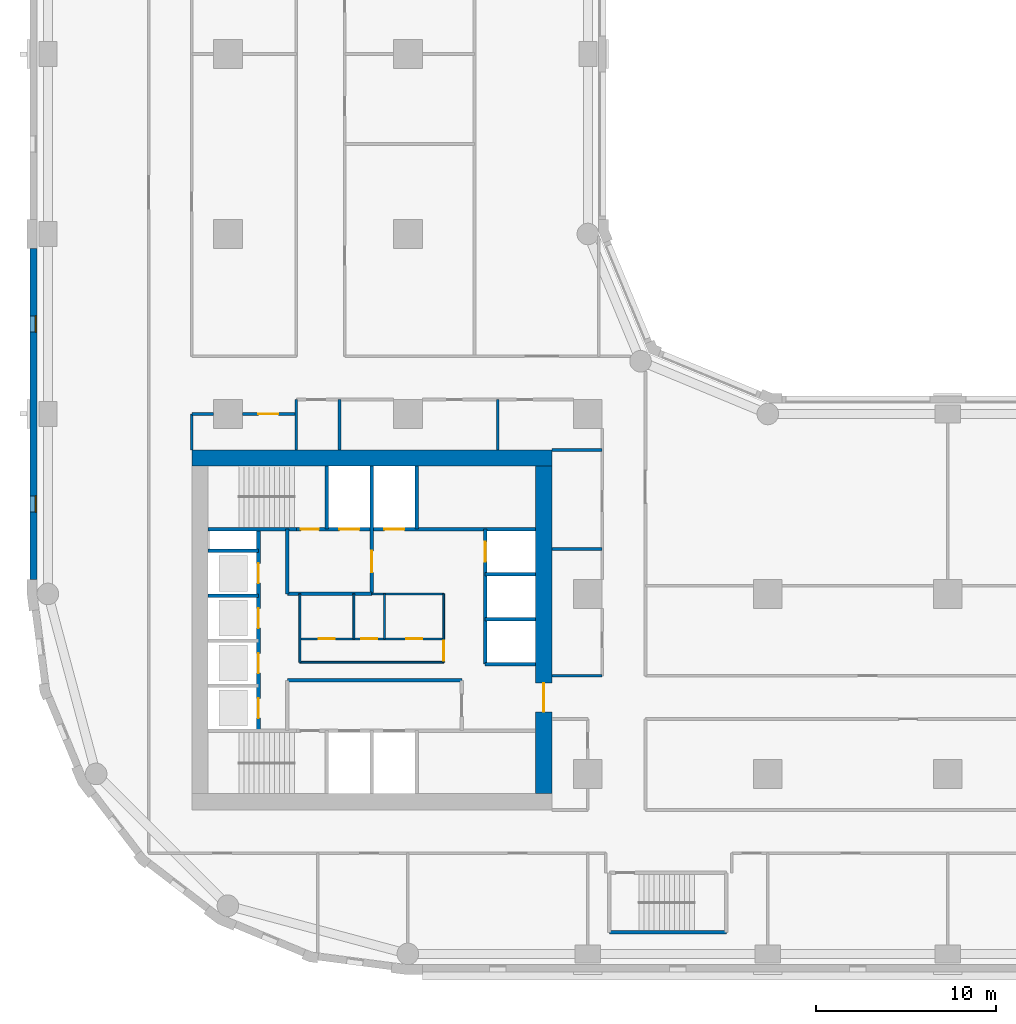
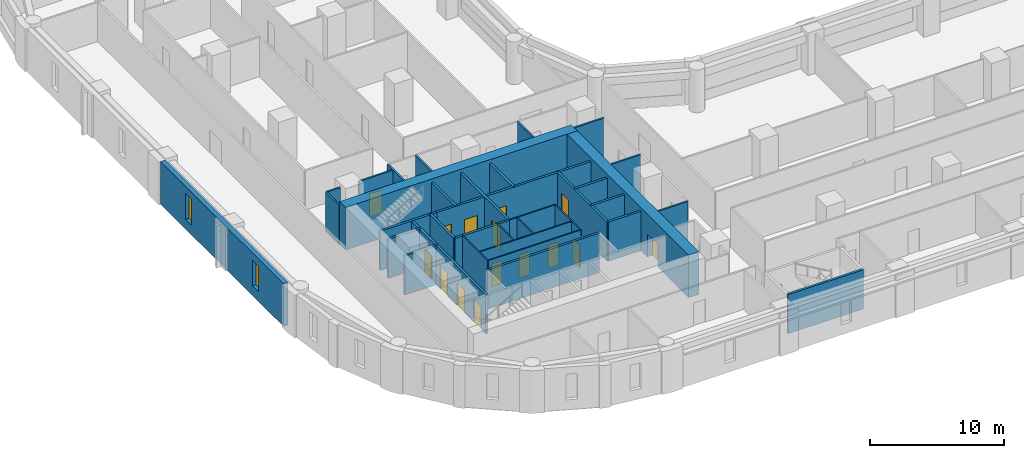
# One storey, part 3 of 10: 35 walls, 15 doors, 2 windows, 17 openings.
"""IFC4 building model written with IfcOpenShell, lengths in metres."""

from ifc_helpers import new_model, si_unit, direction, frame, frame_2d, origin, place, context, subcontext, project, spatial, rectangle, extrude, material, layer, layer_set, type_object, element, fill, save


model = new_model("IFC4")

# Units and contexts
model_context = context("Model", 3, precision=1e-05, world=origin(), true_north=direction((0.0, 1.0)))
body_context = subcontext(model_context, "Body", "Model", "MODEL_VIEW")
ifc_project = project(units=[si_unit("LENGTHUNIT", "METRE"), si_unit("AREAUNIT", "SQUARE_METRE"), si_unit("VOLUMEUNIT", "CUBIC_METRE"), si_unit("PLANEANGLEUNIT", "RADIAN"), si_unit("MASSUNIT", "GRAM", prefix="KILO")], contexts=[model_context])

# Site, building, storey
site_placement = place(None, origin())
site = spatial("IfcSite", under=ifc_project, at=site_placement, CompositionType="ELEMENT")
building_placement = place(site_placement, origin())
building = spatial("IfcBuilding", under=site, at=building_placement, Name="Qaws Garden Tower", CompositionType="ELEMENT")
storey_placement = place(building_placement, frame((0.0, 0.0, 109.5)))
storey = spatial("IfcBuildingStorey", under=building, at=storey_placement, Name="L27", CompositionType="ELEMENT", Elevation=109.5)

# Wall, openings, windows
ifc_material_1 = material(Name="Clay facing brick masonry", Category="masonry")
ifc_layer_1 = layer(ifc_material_1, 0.39990234375)
ifc_layer_set_1 = layer_set([ifc_layer_1], Name="Clay facing brick masonry")
wall_type_1 = type_object("IfcWallType", Name="Brick infill wall 400", PredefinedType="SOLIDWALL", material=ifc_layer_set_1)
wall_1_placement = place(storey_placement, frame((-0.800048828125, 39.199951171875, 0.0), z_axis=(0.0, 0.0, 1.0), x_axis=(0.0, -1.0, 0.0)))
wall_1 = element("IfcWall", 1, at=wall_1_placement, inside=storey, type_object=wall_type_1, Name="E-L27-infill-25", PredefinedType="SOLIDWALL", context=body_context, shape_type="SweptSolid", body=[
    extrude(rectangle(XDim=18.39990234375, YDim=0.39990234375, at=frame_2d((9.199951171875, 0.0))), origin(), (0.0, 0.0, 1.0), 3.89990234375),
])
opening_1_placement = place(wall_1_placement, frame((3.75, 0.0, 0.89990234375)))
opening_1 = element("IfcOpeningElement", 2, at=opening_1_placement, cuts=wall_1, Name="Opening W09", PredefinedType="OPENING", context=body_context, shape_type="SweptSolid", body=[
    extrude(rectangle(XDim=0.89990234375, YDim=2.35009765625, at=frame_2d((0.449951171875, 1.175048828125))), frame((0.0, 0.2099609375, 0.0), z_axis=(0.0, -1.0, 0.0), x_axis=(1.0, 0.0, 0.0)), (0.0, 0.0, 1.0), 0.419921875),
])
opening_2_placement = place(wall_1_placement, frame((13.75, 0.0, 0.89990234375)))
opening_2 = element("IfcOpeningElement", 3, at=opening_2_placement, cuts=wall_1, Name="Opening W09", PredefinedType="OPENING", context=body_context, shape_type="SweptSolid", body=[
    extrude(rectangle(XDim=0.89990234375, YDim=2.35009765625, at=frame_2d((0.449951171875, 1.175048828125))), frame((0.0, 0.2099609375, 0.0), z_axis=(0.0, -1.0, 0.0), x_axis=(1.0, 0.0, 0.0)), (0.0, 0.0, 1.0), 0.419921875),
])
ifc_material_2 = material(Name="Aluminium framed window, clear glazing", Category="aluminium")
window_type = type_object("IfcWindowType", Name="Slit window 900 x 2350", PartitioningType="SINGLE_PANEL", PredefinedType="WINDOW", material=ifc_material_2)
window_1_placement = place(opening_1_placement, origin())
window_1 = element("IfcWindow", 4, at=window_1_placement, inside=storey, type_object=window_type, Name="E-L27-window-25-0", OverallHeight=2.35009765625, OverallWidth=0.89990234375, PartitioningType="SINGLE_PANEL", PredefinedType="WINDOW", context=body_context, shape_type="SweptSolid", body=[
    extrude(rectangle(XDim=0.89990234375, YDim=2.35009765625, at=frame_2d((0.449951171875, 1.175048828125))), frame((0.0, 0.159912109375, 0.0), z_axis=(0.0, -1.0, 0.0), x_axis=(1.0, 0.0, 0.0)), (0.0, 0.0, 1.0), 0.06005859375),
])
fill(opening_1, window_1)
window_2_placement = place(opening_2_placement, origin())
window_2 = element("IfcWindow", 5, at=window_2_placement, inside=storey, type_object=window_type, Name="E-L27-window-26-0", OverallHeight=2.35009765625, OverallWidth=0.89990234375, PartitioningType="SINGLE_PANEL", PredefinedType="WINDOW", context=body_context, shape_type="SweptSolid", body=[
    extrude(rectangle(XDim=0.89990234375, YDim=2.35009765625, at=frame_2d((0.449951171875, 1.175048828125))), frame((0.0, 0.159912109375, 0.0), z_axis=(0.0, -1.0, 0.0), x_axis=(1.0, 0.0, 0.0)), (0.0, 0.0, 1.0), 0.06005859375),
])
fill(opening_2, window_2)

# Wall
ifc_material_3 = material(Name="Plasterboard")
ifc_layer_2 = layer(ifc_material_3, 0.10009765625)
ifc_layer_set_2 = layer_set([ifc_layer_2], Name="Plasterboard")
wall_type_2 = type_object("IfcWallType", Name="Core partition 100", PredefinedType="PARTITIONING", material=ifc_layer_set_2)
wall_2_placement = place(storey_placement, frame((14.0, 16.199951171875, 0.0), z_axis=(0.0, 0.0, 1.0), x_axis=(1.0, 0.0, 0.0)))
element("IfcWall", 6, at=wall_2_placement, inside=storey, type_object=wall_type_2, Name="Core partition", PredefinedType="PARTITIONING", context=body_context, shape_type="SweptSolid", body=[
    extrude(rectangle(XDim=8.0, YDim=0.10009765625, at=frame_2d((4.0, 0.0))), origin(), (0.0, 0.0, 1.0), 3.580078125),
])

# Wall, openings, doors
wall_3_placement = place(storey_placement, frame((14.0, 17.5, 0.0), z_axis=(0.0, 0.0, 1.0), x_axis=(1.0, 0.0, 0.0)))
wall_3 = element("IfcWall", 7, at=wall_3_placement, inside=storey, type_object=wall_type_2, Name="Core partition", PredefinedType="PARTITIONING", context=body_context, shape_type="SweptSolid", body=[
    extrude(rectangle(XDim=8.0, YDim=0.10009765625, at=frame_2d((4.0, 0.0))), origin(), (0.0, 0.0, 1.0), 3.580078125),
])
opening_3_placement = place(wall_3_placement, frame((1.050048828125, 0.0, 0.0)))
opening_3 = element("IfcOpeningElement", 8, at=opening_3_placement, cuts=wall_3, Name="Opening WD18", PredefinedType="OPENING", context=body_context, shape_type="SweptSolid", body=[
    extrude(rectangle(XDim=0.89990234375, YDim=2.10009765625, at=frame_2d((0.449951171875, 1.050048828125))), frame((0.0, 0.06005859375, 0.0), z_axis=(0.0, -1.0, 0.0), x_axis=(1.0, 0.0, 0.0)), (0.0, 0.0, 1.0), 0.1201171875),
])
opening_4_placement = place(wall_3_placement, frame((3.39990234375, 0.0, 0.0)))
opening_4 = element("IfcOpeningElement", 9, at=opening_4_placement, cuts=wall_3, Name="Opening WD19", PredefinedType="OPENING", context=body_context, shape_type="SweptSolid", body=[
    extrude(rectangle(XDim=0.89990234375, YDim=2.10009765625, at=frame_2d((0.449951171875, 1.050048828125))), frame((0.0, 0.06005859375, 0.0), z_axis=(0.0, -1.0, 0.0), x_axis=(1.0, 0.0, 0.0)), (0.0, 0.0, 1.0), 0.1201171875),
])
opening_5_placement = place(wall_3_placement, frame((5.89990234375, 0.0, 0.0)))
opening_5 = element("IfcOpeningElement", 10, at=opening_5_placement, cuts=wall_3, Name="Opening WD20", PredefinedType="OPENING", context=body_context, shape_type="SweptSolid", body=[
    extrude(rectangle(XDim=0.89990234375, YDim=2.10009765625, at=frame_2d((0.449951171875, 1.050048828125))), frame((0.0, 0.06005859375, 0.0), z_axis=(0.0, -1.0, 0.0), x_axis=(1.0, 0.0, 0.0)), (0.0, 0.0, 1.0), 0.1201171875),
])
ifc_material_4 = material(Name="Timber", Category="wood")
door_type_1 = type_object("IfcDoorType", Name="WC door 900x2100", OperationType="SINGLE_SWING_LEFT", PredefinedType="DOOR", material=ifc_material_4)
door_1_placement = place(opening_3_placement, origin())
door_1 = element("IfcDoor", 11, at=door_1_placement, inside=storey, type_object=door_type_1, Name="Men's WC door", OperationType="SINGLE_SWING_RIGHT", OverallHeight=2.10009765625, OverallWidth=0.89990234375, PredefinedType="DOOR", context=body_context, shape_type="SweptSolid", body=[
    extrude(rectangle(XDim=0.89990234375, YDim=2.10009765625, at=frame_2d((0.449951171875, 1.050048828125))), frame((0.0, 0.02490234375, 0.0), z_axis=(0.0, -1.0, 0.0), x_axis=(1.0, 0.0, 0.0)), (0.0, 0.0, 1.0), 0.050048828125),
])
fill(opening_3, door_1)
door_2_placement = place(opening_4_placement, origin())
door_2 = element("IfcDoor", 12, at=door_2_placement, inside=storey, type_object=door_type_1, Name="Accessible WC door", OperationType="SINGLE_SWING_RIGHT", OverallHeight=2.10009765625, OverallWidth=0.89990234375, PredefinedType="DOOR", context=body_context, shape_type="SweptSolid", body=[
    extrude(rectangle(XDim=0.89990234375, YDim=2.10009765625, at=frame_2d((0.449951171875, 1.050048828125))), frame((0.0, 0.02490234375, 0.0), z_axis=(0.0, -1.0, 0.0), x_axis=(1.0, 0.0, 0.0)), (0.0, 0.0, 1.0), 0.050048828125),
])
fill(opening_4, door_2)
door_3_placement = place(opening_5_placement, origin())
door_3 = element("IfcDoor", 13, at=door_3_placement, inside=storey, type_object=door_type_1, Name="Women's WC door", OperationType="SINGLE_SWING_RIGHT", OverallHeight=2.10009765625, OverallWidth=0.89990234375, PredefinedType="DOOR", context=body_context, shape_type="SweptSolid", body=[
    extrude(rectangle(XDim=0.89990234375, YDim=2.10009765625, at=frame_2d((0.449951171875, 1.050048828125))), frame((0.0, 0.02490234375, 0.0), z_axis=(0.0, -1.0, 0.0), x_axis=(1.0, 0.0, 0.0)), (0.0, 0.0, 1.0), 0.050048828125),
])
fill(opening_5, door_3)

# Walls
wall_4_placement = place(storey_placement, frame((18.0, 20.0, 0.0), z_axis=(0.0, 0.0, 1.0), x_axis=(1.0, 0.0, 0.0)))
element("IfcWall", 14, at=wall_4_placement, inside=storey, type_object=wall_type_2, Name="Core partition", PredefinedType="PARTITIONING", context=body_context, shape_type="SweptSolid", body=[
    extrude(rectangle(XDim=4.0, YDim=0.10009765625, at=frame_2d((2.0, 0.0))), origin(), (0.0, 0.0, 1.0), 3.580078125),
])
wall_5_placement = place(storey_placement, frame((14.0, 16.199951171875, 0.0), z_axis=(0.0, 0.0, 1.0), x_axis=(0.0, 1.0, 0.0)))
element("IfcWall", 15, at=wall_5_placement, inside=storey, type_object=wall_type_2, Name="Core partition", PredefinedType="PARTITIONING", context=body_context, shape_type="SweptSolid", body=[
    extrude(rectangle(XDim=3.800048828125, YDim=0.10009765625, at=frame_2d((1.89990234375, 0.0))), origin(), (0.0, 0.0, 1.0), 3.580078125),
])
for number, where, z_axis, x_axis, name in (
    (16, (17.0, 17.5, 0.0), (0.0, 0.0, 1.0), (0.0, 1.0, 0.0), "Core partition"),
    (17, (18.699951171875, 17.5, 0.0), (0.0, 0.0, 1.0), (0.0, 1.0, 0.0), "Core partition"),
):
    element("IfcWall", number, at=place(storey_placement, frame(where, z_axis=z_axis, x_axis=x_axis)), inside=storey, type_object=wall_type_2, Name=name, PredefinedType="PARTITIONING", context=body_context, shape_type="SweptSolid", body=[
        extrude(rectangle(XDim=2.5, YDim=0.10009765625, at=frame_2d((1.25, 0.0))), origin(), (0.0, 0.0, 1.0), 3.580078125),
    ])

# Wall, opening, door
wall_6_placement = place(storey_placement, frame((22.0, 16.199951171875, 0.0), z_axis=(0.0, 0.0, 1.0), x_axis=(0.0, 1.0, 0.0)))
wall_6 = element("IfcWall", 18, at=wall_6_placement, inside=storey, type_object=wall_type_2, Name="Core partition", PredefinedType="PARTITIONING", context=body_context, shape_type="SweptSolid", body=[
    extrude(rectangle(XDim=3.800048828125, YDim=0.10009765625, at=frame_2d((1.89990234375, 0.0))), origin(), (0.0, 0.0, 1.0), 3.580078125),
])
opening_6_placement = place(wall_6_placement, frame((0.10009765625, 0.0, 0.0)))
opening_6 = element("IfcOpeningElement", 19, at=opening_6_placement, cuts=wall_6, Name="Opening WL17", PredefinedType="OPENING", context=body_context, shape_type="SweptSolid", body=[
    extrude(rectangle(XDim=1.10009765625, YDim=2.10009765625, at=frame_2d((0.550048828125, 1.050048828125))), frame((0.0, 0.06005859375, 0.0), z_axis=(0.0, -1.0, 0.0), x_axis=(1.0, 0.0, 0.0)), (0.0, 0.0, 1.0), 0.1201171875),
])
ifc_material_5 = material(Name="Timber", Category="wood")
door_type_2 = type_object("IfcDoorType", Name="WC lobby door 1100x2100", OperationType="SINGLE_SWING_LEFT", PredefinedType="DOOR", material=ifc_material_5)
door_4_placement = place(opening_6_placement, origin())
door_4 = element("IfcDoor", 20, at=door_4_placement, inside=storey, type_object=door_type_2, Name="WC lobby door", OperationType="SINGLE_SWING_RIGHT", OverallHeight=2.10009765625, OverallWidth=1.10009765625, PredefinedType="DOOR", context=body_context, shape_type="SweptSolid", body=[
    extrude(rectangle(XDim=1.10009765625, YDim=2.10009765625, at=frame_2d((0.550048828125, 1.050048828125))), frame((0.0, 0.02490234375, 0.0), z_axis=(0.0, -1.0, 0.0), x_axis=(1.0, 0.0, 0.0)), (0.0, 0.0, 1.0), 0.050048828125),
])
fill(opening_6, door_4)

# Walls
ifc_material_6 = material(Name="Concrete C80", Category="concrete")
ifc_layer_3 = layer(ifc_material_6, 0.199951171875)
ifc_layer_set_3 = layer_set([ifc_layer_3], Name="Concrete C80")
wall_type_3 = type_object("IfcWallType", Name="Core shaft wall 200 C80", PredefinedType="SHEAR", material=ifc_layer_set_3)
wall_7_placement = place(storey_placement, frame((31.199951171875, 1.199951171875, 0.0), z_axis=(0.0, 0.0, 1.0), x_axis=(1.0, 0.0, 0.0)))
element("IfcWall", 21, at=wall_7_placement, inside=storey, type_object=wall_type_3, Name="Shaft wall", PredefinedType="SHEAR", context=body_context, shape_type="SweptSolid", body=[
    extrude(rectangle(XDim=6.5, YDim=0.199951171875, at=frame_2d((3.25, 0.0))), origin(), (0.0, 0.0, 1.0), 3.580078125),
])
wall_8_placement = place(storey_placement, frame((13.300048828125, 15.199951171875, 0.0), z_axis=(0.0, 0.0, 1.0), x_axis=(1.0, 0.0, 0.0)))
element("IfcWall", 22, at=wall_8_placement, inside=storey, type_object=wall_type_3, Name="Shaft wall", PredefinedType="SHEAR", context=body_context, shape_type="SweptSolid", body=[
    extrude(rectangle(XDim=9.699951171875, YDim=0.199951171875, at=frame_2d((4.85009765625, 0.0))), origin(), (0.0, 0.0, 1.0), 3.580078125),
])
for number, where, z_axis, x_axis, name in (
    (23, (24.300048828125, 16.10009765625, 0.0), (0.0, 0.0, 1.0), (1.0, 0.0, 0.0), "Shaft wall"),
    (24, (24.300048828125, 18.60009765625, 0.0), (0.0, 0.0, 1.0), (1.0, 0.0, 0.0), "Shaft wall"),
    (25, (8.89990234375, 19.89990234375, 0.0), (0.0, 0.0, 1.0), (1.0, 0.0, 0.0), "Shaft wall"),
):
    element("IfcWall", number, at=place(storey_placement, frame(where, z_axis=z_axis, x_axis=x_axis)), inside=storey, type_object=wall_type_3, Name=name, PredefinedType="SHEAR", context=body_context, shape_type="SweptSolid", body=[
        extrude(rectangle(XDim=2.800048828125, YDim=0.199951171875, at=frame_2d((1.39990234375, 0.0))), origin(), (0.0, 0.0, 1.0), 3.580078125),
    ])
wall_9_placement = place(storey_placement, frame((13.300048828125, 20.0, 0.0), z_axis=(0.0, 0.0, 1.0), x_axis=(1.0, 0.0, 0.0)))
element("IfcWall", 26, at=wall_9_placement, inside=storey, type_object=wall_type_3, Name="Shaft wall", PredefinedType="SHEAR", context=body_context, shape_type="SweptSolid", body=[
    extrude(rectangle(XDim=4.699951171875, YDim=0.199951171875, at=frame_2d((2.35009765625, 0.0))), origin(), (0.0, 0.0, 1.0), 3.580078125),
])
for number, where, z_axis, x_axis, name in (
    (27, (24.300048828125, 21.10009765625, 0.0), (0.0, 0.0, 1.0), (1.0, 0.0, 0.0), "Shaft wall"),
    (28, (8.89990234375, 22.39990234375, 0.0), (0.0, 0.0, 1.0), (1.0, 0.0, 0.0), "Shaft wall"),
):
    element("IfcWall", number, at=place(storey_placement, frame(where, z_axis=z_axis, x_axis=x_axis)), inside=storey, type_object=wall_type_3, Name=name, PredefinedType="SHEAR", context=body_context, shape_type="SweptSolid", body=[
        extrude(rectangle(XDim=2.800048828125, YDim=0.199951171875, at=frame_2d((1.39990234375, 0.0))), origin(), (0.0, 0.0, 1.0), 3.580078125),
    ])
wall_10_placement = place(storey_placement, frame((8.89990234375, 23.60009765625, 0.0), z_axis=(0.0, 0.0, 1.0), x_axis=(1.0, 0.0, 0.0)))
element("IfcWall", 29, at=wall_10_placement, inside=storey, type_object=wall_type_3, Name="Shaft wall", PredefinedType="SHEAR", context=body_context, shape_type="SweptSolid", body=[
    extrude(rectangle(XDim=4.900146484375, YDim=0.199951171875, at=frame_2d((2.4501953125, 0.0))), origin(), (0.0, 0.0, 1.0), 3.580078125),
])

# Wall, openings, doors
wall_11_placement = place(storey_placement, frame((13.800048828125, 23.60009765625, 0.0), z_axis=(0.0, 0.0, 1.0), x_axis=(1.0, 0.0, 0.0)))
wall_11 = element("IfcWall", 30, at=wall_11_placement, inside=storey, type_object=wall_type_3, Name="Shaft wall", PredefinedType="SHEAR", context=body_context, shape_type="SweptSolid", body=[
    extrude(rectangle(XDim=13.300048828125, YDim=0.199951171875, at=frame_2d((6.64990234375, 0.0))), origin(), (0.0, 0.0, 1.0), 3.580078125),
])
opening_7_placement = place(wall_11_placement, frame((2.39990234375, 0.0, 0.0)))
opening_7 = element("IfcOpeningElement", 31, at=opening_7_placement, cuts=wall_11, Name="Opening LD08", PredefinedType="OPENING", context=body_context, shape_type="SweptSolid", body=[
    extrude(rectangle(XDim=1.10009765625, YDim=2.10009765625, at=frame_2d((0.550048828125, 1.050048828125))), frame((0.0, 0.10986328125, 0.0), z_axis=(0.0, -1.0, 0.0), x_axis=(1.0, 0.0, 0.0)), (0.0, 0.0, 1.0), 0.219970703125),
])
opening_8_placement = place(wall_11_placement, frame((4.89990234375, 0.0, 0.0)))
opening_8 = element("IfcOpeningElement", 32, at=opening_8_placement, cuts=wall_11, Name="Opening LD09", PredefinedType="OPENING", context=body_context, shape_type="SweptSolid", body=[
    extrude(rectangle(XDim=1.10009765625, YDim=2.10009765625, at=frame_2d((0.550048828125, 1.050048828125))), frame((0.0, 0.10986328125, 0.0), z_axis=(0.0, -1.0, 0.0), x_axis=(1.0, 0.0, 0.0)), (0.0, 0.0, 1.0), 0.219970703125),
])
opening_9_placement = place(wall_11_placement, frame((0.25, 0.0, 0.0)))
opening_9 = element("IfcOpeningElement", 33, at=opening_9_placement, cuts=wall_11, Name="Opening SD11", PredefinedType="OPENING", context=body_context, shape_type="SweptSolid", body=[
    extrude(rectangle(XDim=1.0, YDim=2.10009765625, at=frame_2d((0.5, 1.050048828125))), frame((0.0, 0.10986328125, 0.0), z_axis=(0.0, -1.0, 0.0), x_axis=(1.0, 0.0, 0.0)), (0.0, 0.0, 1.0), 0.219970703125),
])
ifc_material_7 = material(Name="Steel S235", Category="steel")
door_type_3 = type_object("IfcDoorType", Name="Landing door 1100x2100", OperationType="DOUBLE_DOOR_SLIDING", PredefinedType="DOOR", material=ifc_material_7)
door_5_placement = place(opening_7_placement, origin())
door_5 = element("IfcDoor", 34, at=door_5_placement, inside=storey, type_object=door_type_3, Name="Lift FF3 landing door", OperationType="DOUBLE_DOOR_SLIDING", OverallHeight=2.10009765625, OverallWidth=1.10009765625, PredefinedType="DOOR", context=body_context, shape_type="SweptSolid", body=[
    extrude(rectangle(XDim=1.10009765625, YDim=2.10009765625, at=frame_2d((0.550048828125, 1.050048828125))), frame((0.0, 0.02490234375, 0.0), z_axis=(0.0, -1.0, 0.0), x_axis=(1.0, 0.0, 0.0)), (0.0, 0.0, 1.0), 0.050048828125),
])
fill(opening_7, door_5)
door_6_placement = place(opening_8_placement, origin())
door_6 = element("IfcDoor", 35, at=door_6_placement, inside=storey, type_object=door_type_3, Name="Lift SV2 landing door", OperationType="DOUBLE_DOOR_SLIDING", OverallHeight=2.10009765625, OverallWidth=1.10009765625, PredefinedType="DOOR", context=body_context, shape_type="SweptSolid", body=[
    extrude(rectangle(XDim=1.10009765625, YDim=2.10009765625, at=frame_2d((0.550048828125, 1.050048828125))), frame((0.0, 0.02490234375, 0.0), z_axis=(0.0, -1.0, 0.0), x_axis=(1.0, 0.0, 0.0)), (0.0, 0.0, 1.0), 0.050048828125),
])
fill(opening_8, door_6)
ifc_material_8 = material(Name="Steel S235", Category="steel")
door_type_4 = type_object("IfcDoorType", Name="Stair door 1000x2100", OperationType="SINGLE_SWING_RIGHT", PredefinedType="DOOR", material=ifc_material_8)
door_7_placement = place(opening_9_placement, origin())
door_7 = element("IfcDoor", 36, at=door_7_placement, inside=storey, type_object=door_type_4, Name="Stair 4 door", OperationType="SINGLE_SWING_RIGHT", OverallHeight=2.10009765625, OverallWidth=1.0, PredefinedType="DOOR", context=body_context, shape_type="SweptSolid", body=[
    extrude(rectangle(XDim=1.0, YDim=2.10009765625, at=frame_2d((0.5, 1.050048828125))), frame((0.0, 0.02490234375, 0.0), z_axis=(0.0, -1.0, 0.0), x_axis=(1.0, 0.0, 0.0)), (0.0, 0.0, 1.0), 0.050048828125),
])
fill(opening_9, door_7)

wall_12_placement = place(storey_placement, frame((11.699951171875, 12.39990234375, 0.0), z_axis=(0.0, 0.0, 1.0), x_axis=(0.0, 1.0, 0.0)))
wall_12 = element("IfcWall", 37, at=wall_12_placement, inside=storey, type_object=wall_type_3, Name="Shaft wall", PredefinedType="SHEAR", context=body_context, shape_type="SweptSolid", body=[
    extrude(rectangle(XDim=11.2001953125, YDim=0.199951171875, at=frame_2d((5.60009765625, 0.0))), origin(), (0.0, 0.0, 1.0), 3.580078125),
])
opening_10_placement = place(wall_12_placement, frame((0.699951171875, 0.0, 0.0)))
opening_10 = element("IfcOpeningElement", 38, at=opening_10_placement, cuts=wall_12, Name="Opening LD01", PredefinedType="OPENING", context=body_context, shape_type="SweptSolid", body=[
    extrude(rectangle(XDim=1.10009765625, YDim=2.10009765625, at=frame_2d((0.550048828125, 1.050048828125))), frame((0.0, 0.10986328125, 0.0), z_axis=(0.0, -1.0, 0.0), x_axis=(1.0, 0.0, 0.0)), (0.0, 0.0, 1.0), 0.219970703125),
])
opening_11_placement = place(wall_12_placement, frame((3.199951171875, 0.0, 0.0)))
opening_11 = element("IfcOpeningElement", 39, at=opening_11_placement, cuts=wall_12, Name="Opening LD02", PredefinedType="OPENING", context=body_context, shape_type="SweptSolid", body=[
    extrude(rectangle(XDim=1.10009765625, YDim=2.10009765625, at=frame_2d((0.550048828125, 1.050048828125))), frame((0.0, 0.10986328125, 0.0), z_axis=(0.0, -1.0, 0.0), x_axis=(1.0, 0.0, 0.0)), (0.0, 0.0, 1.0), 0.219970703125),
])
opening_12_placement = place(wall_12_placement, frame((5.699951171875, 0.0, 0.0)))
opening_12 = element("IfcOpeningElement", 40, at=opening_12_placement, cuts=wall_12, Name="Opening LD03", PredefinedType="OPENING", context=body_context, shape_type="SweptSolid", body=[
    extrude(rectangle(XDim=1.10009765625, YDim=2.10009765625, at=frame_2d((0.550048828125, 1.050048828125))), frame((0.0, 0.10986328125, 0.0), z_axis=(0.0, -1.0, 0.0), x_axis=(1.0, 0.0, 0.0)), (0.0, 0.0, 1.0), 0.219970703125),
])
opening_13_placement = place(wall_12_placement, frame((8.199951171875, 0.0, 0.0)))
opening_13 = element("IfcOpeningElement", 41, at=opening_13_placement, cuts=wall_12, Name="Opening LD04", PredefinedType="OPENING", context=body_context, shape_type="SweptSolid", body=[
    extrude(rectangle(XDim=1.10009765625, YDim=2.10009765625, at=frame_2d((0.550048828125, 1.050048828125))), frame((0.0, 0.10986328125, 0.0), z_axis=(0.0, -1.0, 0.0), x_axis=(1.0, 0.0, 0.0)), (0.0, 0.0, 1.0), 0.219970703125),
])
door_8_placement = place(opening_10_placement, origin())
door_8 = element("IfcDoor", 42, at=door_8_placement, inside=storey, type_object=door_type_3, Name="Lift W1 landing door", OperationType="DOUBLE_DOOR_SLIDING", OverallHeight=2.10009765625, OverallWidth=1.10009765625, PredefinedType="DOOR", context=body_context, shape_type="SweptSolid", body=[
    extrude(rectangle(XDim=1.10009765625, YDim=2.10009765625, at=frame_2d((0.550048828125, 1.050048828125))), frame((0.0, 0.02490234375, 0.0), z_axis=(0.0, -1.0, 0.0), x_axis=(1.0, 0.0, 0.0)), (0.0, 0.0, 1.0), 0.050048828125),
])
fill(opening_10, door_8)
door_9_placement = place(opening_11_placement, origin())
door_9 = element("IfcDoor", 43, at=door_9_placement, inside=storey, type_object=door_type_3, Name="Lift W2 landing door", OperationType="DOUBLE_DOOR_SLIDING", OverallHeight=2.10009765625, OverallWidth=1.10009765625, PredefinedType="DOOR", context=body_context, shape_type="SweptSolid", body=[
    extrude(rectangle(XDim=1.10009765625, YDim=2.10009765625, at=frame_2d((0.550048828125, 1.050048828125))), frame((0.0, 0.02490234375, 0.0), z_axis=(0.0, -1.0, 0.0), x_axis=(1.0, 0.0, 0.0)), (0.0, 0.0, 1.0), 0.050048828125),
])
fill(opening_11, door_9)
door_10_placement = place(opening_12_placement, origin())
door_10 = element("IfcDoor", 44, at=door_10_placement, inside=storey, type_object=door_type_3, Name="Lift W3 landing door", OperationType="DOUBLE_DOOR_SLIDING", OverallHeight=2.10009765625, OverallWidth=1.10009765625, PredefinedType="DOOR", context=body_context, shape_type="SweptSolid", body=[
    extrude(rectangle(XDim=1.10009765625, YDim=2.10009765625, at=frame_2d((0.550048828125, 1.050048828125))), frame((0.0, 0.02490234375, 0.0), z_axis=(0.0, -1.0, 0.0), x_axis=(1.0, 0.0, 0.0)), (0.0, 0.0, 1.0), 0.050048828125),
])
fill(opening_12, door_10)
door_11_placement = place(opening_13_placement, origin())
door_11 = element("IfcDoor", 45, at=door_11_placement, inside=storey, type_object=door_type_3, Name="Lift W4 landing door", OperationType="DOUBLE_DOOR_SLIDING", OverallHeight=2.10009765625, OverallWidth=1.10009765625, PredefinedType="DOOR", context=body_context, shape_type="SweptSolid", body=[
    extrude(rectangle(XDim=1.10009765625, YDim=2.10009765625, at=frame_2d((0.550048828125, 1.050048828125))), frame((0.0, 0.02490234375, 0.0), z_axis=(0.0, -1.0, 0.0), x_axis=(1.0, 0.0, 0.0)), (0.0, 0.0, 1.0), 0.050048828125),
])
fill(opening_13, door_11)

# Walls
wall_13_placement = place(storey_placement, frame((13.300048828125, 20.0, 0.0), z_axis=(0.0, 0.0, 1.0), x_axis=(0.0, 1.0, 0.0)))
element("IfcWall", 46, at=wall_13_placement, inside=storey, type_object=wall_type_3, Name="Shaft wall", PredefinedType="SHEAR", context=body_context, shape_type="SweptSolid", body=[
    extrude(rectangle(XDim=3.60009765625, YDim=0.199951171875, at=frame_2d((1.800048828125, 0.0))), origin(), (0.0, 0.0, 1.0), 3.580078125),
])
wall_14_placement = place(storey_placement, frame((15.5, 23.60009765625, 0.0), z_axis=(0.0, 0.0, 1.0), x_axis=(0.0, 1.0, 0.0)))
element("IfcWall", 47, at=wall_14_placement, inside=storey, type_object=wall_type_3, Name="Shaft wall", PredefinedType="SHEAR", context=body_context, shape_type="SweptSolid", body=[
    extrude(rectangle(XDim=3.5, YDim=0.199951171875, at=frame_2d((1.75, 0.0))), origin(), (0.0, 0.0, 1.0), 3.580078125),
])

# Wall, opening, door
wall_15_placement = place(storey_placement, frame((18.0, 20.0, 0.0), z_axis=(0.0, 0.0, 1.0), x_axis=(0.0, 1.0, 0.0)))
wall_15 = element("IfcWall", 48, at=wall_15_placement, inside=storey, type_object=wall_type_3, Name="Shaft wall", PredefinedType="SHEAR", context=body_context, shape_type="SweptSolid", body=[
    extrude(rectangle(XDim=7.10009765625, YDim=0.199951171875, at=frame_2d((3.550048828125, 0.0))), origin(), (0.0, 0.0, 1.0), 3.580078125),
])
opening_14_placement = place(wall_15_placement, frame((1.199951171875, 0.0, 0.0)))
opening_14 = element("IfcOpeningElement", 49, at=opening_14_placement, cuts=wall_15, Name="Opening FD16", PredefinedType="OPENING", context=body_context, shape_type="SweptSolid", body=[
    extrude(rectangle(XDim=1.199951171875, YDim=2.10009765625, at=frame_2d((0.60009765625, 1.050048828125))), frame((0.0, 0.10986328125, 0.0), z_axis=(0.0, -1.0, 0.0), x_axis=(1.0, 0.0, 0.0)), (0.0, 0.0, 1.0), 0.219970703125),
])
ifc_material_9 = material(Name="Steel S235", Category="steel")
door_type_5 = type_object("IfcDoorType", Name="Lobby door 1200x2100", OperationType="DOUBLE_DOOR_SINGLE_SWING", PredefinedType="DOOR", material=ifc_material_9)
door_12_placement = place(opening_14_placement, origin())
door_12 = element("IfcDoor", 50, at=door_12_placement, inside=storey, type_object=door_type_5, Name="Fire-fighting lobby door", OperationType="DOUBLE_DOOR_SINGLE_SWING", OverallHeight=2.10009765625, OverallWidth=1.199951171875, PredefinedType="DOOR", context=body_context, shape_type="SweptSolid", body=[
    extrude(rectangle(XDim=1.199951171875, YDim=2.10009765625, at=frame_2d((0.60009765625, 1.050048828125))), frame((0.0, 0.02490234375, 0.0), z_axis=(0.0, -1.0, 0.0), x_axis=(1.0, 0.0, 0.0)), (0.0, 0.0, 1.0), 0.050048828125),
])
fill(opening_14, door_12)

# Wall
wall_16_placement = place(storey_placement, frame((20.5, 23.60009765625, 0.0), z_axis=(0.0, 0.0, 1.0), x_axis=(0.0, 1.0, 0.0)))
element("IfcWall", 51, at=wall_16_placement, inside=storey, type_object=wall_type_3, Name="Shaft wall", PredefinedType="SHEAR", context=body_context, shape_type="SweptSolid", body=[
    extrude(rectangle(XDim=3.5, YDim=0.199951171875, at=frame_2d((1.75, 0.0))), origin(), (0.0, 0.0, 1.0), 3.580078125),
])

# Wall, opening, door
wall_17_placement = place(storey_placement, frame((24.300048828125, 16.10009765625, 0.0), z_axis=(0.0, 0.0, 1.0), x_axis=(0.0, 1.0, 0.0)))
wall_17 = element("IfcWall", 52, at=wall_17_placement, inside=storey, type_object=wall_type_3, Name="Shaft wall", PredefinedType="SHEAR", context=body_context, shape_type="SweptSolid", body=[
    extrude(rectangle(XDim=7.5, YDim=0.199951171875, at=frame_2d((3.75, 0.0))), origin(), (0.0, 0.0, 1.0), 3.580078125),
])
opening_15_placement = place(wall_17_placement, frame((5.699951171875, 0.0, 0.0)))
opening_15 = element("IfcOpeningElement", 53, at=opening_15_placement, cuts=wall_17, Name="Opening LD05", PredefinedType="OPENING", context=body_context, shape_type="SweptSolid", body=[
    extrude(rectangle(XDim=1.10009765625, YDim=2.10009765625, at=frame_2d((0.550048828125, 1.050048828125))), frame((0.0, 0.10986328125, 0.0), z_axis=(0.0, -1.0, 0.0), x_axis=(1.0, 0.0, 0.0)), (0.0, 0.0, 1.0), 0.219970703125),
])
door_13_placement = place(opening_15_placement, origin())
door_13 = element("IfcDoor", 54, at=door_13_placement, inside=storey, type_object=door_type_3, Name="Lift E3 landing door", OperationType="DOUBLE_DOOR_SLIDING", OverallHeight=2.10009765625, OverallWidth=1.10009765625, PredefinedType="DOOR", context=body_context, shape_type="SweptSolid", body=[
    extrude(rectangle(XDim=1.10009765625, YDim=2.10009765625, at=frame_2d((0.550048828125, 1.050048828125))), frame((0.0, 0.02490234375, 0.0), z_axis=(0.0, -1.0, 0.0), x_axis=(1.0, 0.0, 0.0)), (0.0, 0.0, 1.0), 0.050048828125),
])
fill(opening_15, door_13)

ifc_material_10 = material(Name="Concrete C80", Category="concrete")
ifc_layer_4 = layer(ifc_material_10, 0.89990234375)
ifc_layer_set_4 = layer_set([ifc_layer_4], Name="Concrete C80")
wall_type_4 = type_object("IfcWallType", Name="Core wall 900 C80", PredefinedType="SHEAR", material=ifc_layer_set_4)
wall_18_placement = place(storey_placement, frame((27.550048828125, 8.89990234375, 0.0), z_axis=(0.0, 0.0, 1.0), x_axis=(0.0, 1.0, 0.0)))
wall_18 = element("IfcWall", 55, at=wall_18_placement, inside=storey, type_object=wall_type_4, Name="Core wall L27 east", PredefinedType="SHEAR", context=body_context, shape_type="SweptSolid", body=[
    extrude(rectangle(XDim=18.2001953125, YDim=0.89990234375, at=frame_2d((9.10009765625, 0.0))), origin(), (0.0, 0.0, 1.0), 3.89990234375),
])
opening_16_placement = place(wall_18_placement, frame((4.550048828125, 0.0, 0.0)))
opening_16 = element("IfcOpeningElement", 56, at=opening_16_placement, cuts=wall_18, Name="Opening ED21", PredefinedType="OPENING", context=body_context, shape_type="SweptSolid", body=[
    extrude(rectangle(XDim=1.60009765625, YDim=2.10009765625, at=frame_2d((0.800048828125, 1.050048828125))), frame((0.0, 0.4599609375, 0.0), z_axis=(0.0, -1.0, 0.0), x_axis=(1.0, 0.0, 0.0)), (0.0, 0.0, 1.0), 0.919921875),
])
ifc_material_11 = material(Name="Steel S235", Category="steel")
door_type_6 = type_object("IfcDoorType", Name="Core entrance door 1600x2100", OperationType="DOUBLE_DOOR_SINGLE_SWING", PredefinedType="DOOR", material=ifc_material_11)
door_14_placement = place(opening_16_placement, origin())
door_14 = element("IfcDoor", 57, at=door_14_placement, inside=storey, type_object=door_type_6, Name="Core entrance door", OperationType="DOUBLE_DOOR_SINGLE_SWING", OverallHeight=2.10009765625, OverallWidth=1.60009765625, PredefinedType="DOOR", context=body_context, shape_type="SweptSolid", body=[
    extrude(rectangle(XDim=1.60009765625, YDim=2.10009765625, at=frame_2d((0.800048828125, 1.050048828125))), frame((0.0, 0.02490234375, 0.0), z_axis=(0.0, -1.0, 0.0), x_axis=(1.0, 0.0, 0.0)), (0.0, 0.0, 1.0), 0.050048828125),
])
fill(opening_16, door_14)

# Walls
wall_19_placement = place(storey_placement, frame((28.0, 27.550048828125, 0.0), z_axis=(0.0, 0.0, 1.0), x_axis=(-1.0, 0.0, 0.0)))
element("IfcWall", 58, at=wall_19_placement, inside=storey, type_object=wall_type_4, Name="Core wall L27 north", PredefinedType="SHEAR", context=body_context, shape_type="SweptSolid", body=[
    extrude(rectangle(XDim=20.0, YDim=0.89990234375, at=frame_2d((10.0, 0.0))), origin(), (0.0, 0.0, 1.0), 3.89990234375),
])
ifc_material_12 = material(Name="Gypsum board partition")
ifc_layer_5 = layer(ifc_material_12, 0.14990234375)
ifc_layer_set_5 = layer_set([ifc_layer_5], Name="Gypsum board partition")
wall_type_5 = type_object("IfcWallType", Name="PARTITION 150 EI 60", PredefinedType="PARTITIONING", material=ifc_layer_set_5)
wall_20_placement = place(storey_placement, frame((8.0, 28.0, 0.0), z_axis=(0.0, 0.0, 1.0), x_axis=(0.0, 1.0, 0.0)))
element("IfcWall", 59, at=wall_20_placement, inside=storey, type_object=wall_type_5, Name="O-L27-wall-006", PredefinedType="PARTITIONING", context=body_context, shape_type="SweptSolid", body=[
    extrude(rectangle(XDim=2.0, YDim=0.14990234375, at=frame_2d((1.0, 0.0))), origin(), (0.0, 0.0, 1.0), 3.580078125),
])
for number, where, z_axis, x_axis, name in (
    (60, (13.800048828125, 28.0, 0.0), (0.0, 0.0, 1.0), (0.0, 1.0, 0.0), "O-L27-wall-009"),
    (61, (16.199951171875, 28.0, 0.0), (0.0, 0.0, 1.0), (0.0, 1.0, 0.0), "O-L27-wall-012"),
    (62, (25.0, 28.0, 0.0), (0.0, 0.0, 1.0), (0.0, 1.0, 0.0), "O-L27-wall-017"),
    (63, (28.0, 15.449951171875, 0.0), (0.0, 0.0, 1.0), (1.0, 0.0, 0.0), "O-L27-wall-042"),
    (64, (28.0, 22.5, 0.0), (0.0, 0.0, 1.0), (1.0, 0.0, 0.0), "O-L27-wall-047"),
    (65, (28.0, 28.0, 0.0), (0.0, 0.0, 1.0), (1.0, 0.0, 0.0), "O-L27-wall-048"),
):
    element("IfcWall", number, at=place(storey_placement, frame(where, z_axis=z_axis, x_axis=x_axis)), inside=storey, type_object=wall_type_5, Name=name, PredefinedType="PARTITIONING", context=body_context, shape_type="SweptSolid", body=[
        extrude(rectangle(XDim=2.800048828125, YDim=0.14990234375, at=frame_2d((1.39990234375, 0.0))), origin(), (0.0, 0.0, 1.0), 3.580078125),
    ])
wall_21_placement = place(storey_placement, frame((8.0, 30.0, 0.0), z_axis=(0.0, 0.0, 1.0), x_axis=(1.0, 0.0, 0.0)))
element("IfcWall", 66, at=wall_21_placement, inside=storey, type_object=wall_type_5, Name="O-L27-wall-049", PredefinedType="PARTITIONING", context=body_context, shape_type="SweptSolid", body=[
    extrude(rectangle(XDim=1.199951171875, YDim=0.14990234375, at=frame_2d((0.60009765625, 0.0))), origin(), (0.0, 0.0, 1.0), 3.580078125),
])

# Wall, opening, door
wall_22_placement = place(storey_placement, frame((10.800048828125, 30.0, 0.0), z_axis=(0.0, 0.0, 1.0), x_axis=(1.0, 0.0, 0.0)))
wall_22 = element("IfcWall", 67, at=wall_22_placement, inside=storey, type_object=wall_type_5, Name="O-L27-wall-050", PredefinedType="PARTITIONING", context=body_context, shape_type="SweptSolid", body=[
    extrude(rectangle(XDim=3.0, YDim=0.14990234375, at=frame_2d((1.5, 0.0))), origin(), (0.0, 0.0, 1.0), 3.580078125),
])
opening_17_placement = place(wall_22_placement, frame((0.89990234375, 0.0, 0.0)))
opening_17 = element("IfcOpeningElement", 68, at=opening_17_placement, cuts=wall_22, Name="Opening A907", PredefinedType="OPENING", context=body_context, shape_type="SweptSolid", body=[
    extrude(rectangle(XDim=1.10009765625, YDim=2.10009765625, at=frame_2d((0.550048828125, 1.050048828125))), frame((0.0, 0.0849609375, 0.0), z_axis=(0.0, -1.0, 0.0), x_axis=(1.0, 0.0, 0.0)), (0.0, 0.0, 1.0), 0.169921875),
])
ifc_material_13 = material(Name="Timber door leaf", Category="wood")
door_type_7 = type_object("IfcDoorType", Name="SERVICE ROOM DOOR 1100 X 2100", OperationType="SINGLE_SWING_LEFT", PredefinedType="DOOR", material=ifc_material_13)
door_15_placement = place(opening_17_placement, frame((1.10009765625, 0.0, 0.0), z_axis=(0.0, 0.0, 1.0), x_axis=(-1.0, 0.0, 0.0)))
door_15 = element("IfcDoor", 69, at=door_15_placement, inside=storey, type_object=door_type_7, Name="O-L27-door-007", OperationType="SINGLE_SWING_LEFT", OverallHeight=2.10009765625, OverallWidth=1.10009765625, PredefinedType="DOOR", context=body_context, shape_type="SweptSolid", body=[
    extrude(rectangle(XDim=1.10009765625, YDim=2.10009765625, at=frame_2d((0.550048828125, 1.050048828125))), frame((0.0, 0.02490234375, 0.0), z_axis=(0.0, -1.0, 0.0), x_axis=(1.0, 0.0, 0.0)), (0.0, 0.0, 1.0), 0.050048828125),
])
fill(opening_17, door_15)

save(model, "model.ifc")
